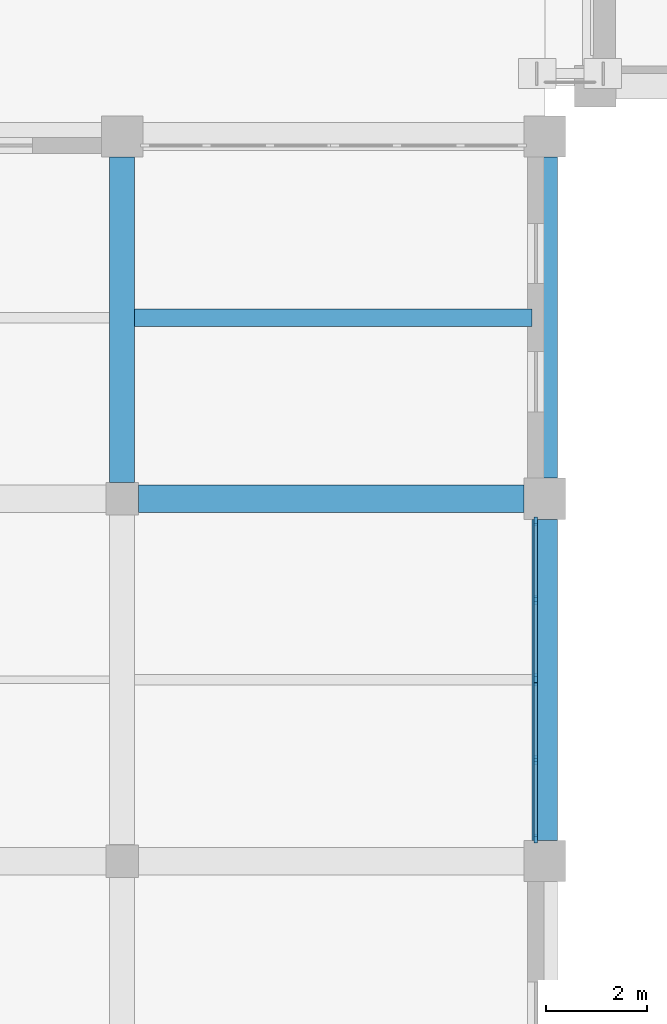
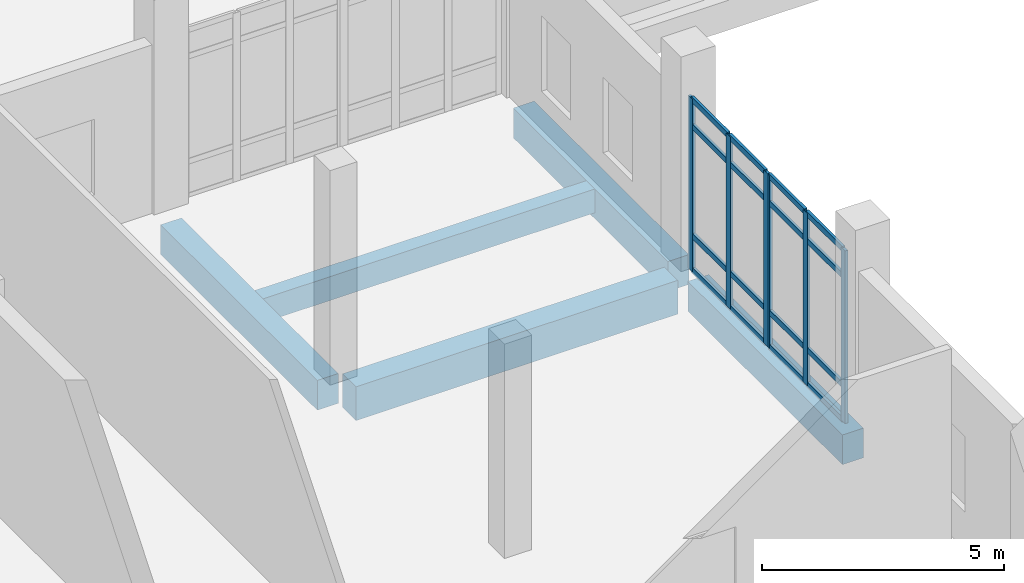
# One storey, part 6 of 79: 22 members, 5 beams, 2 elements without a shape of their own.
"""IFC4 building model written with IfcOpenShell, lengths in metres."""

from ifc_helpers import new_model, si_unit, direction, frame, origin, origin_2d, place, context, subcontext, project, spatial, rectangle, extrude, material, layer, layer_set, material_profile, profile_set, type_object, element, aggregate, save


model = new_model("IFC4")

# Units and contexts
model_context = context("Model", 3, precision=1e-05, world=origin(), true_north=direction((0.0, 1.0)))
body_context = subcontext(model_context, "Body", "Model", "MODEL_VIEW")
ifc_project = project(units=[si_unit("LENGTHUNIT", "METRE"), si_unit("AREAUNIT", "SQUARE_METRE"), si_unit("VOLUMEUNIT", "CUBIC_METRE"), si_unit("PLANEANGLEUNIT", "RADIAN"), si_unit("MASSUNIT", "GRAM", prefix="KILO")], contexts=[model_context])

# Site, building, storey
site_placement = place(None, origin())
site = spatial("IfcSite", under=ifc_project, at=site_placement, CompositionType="ELEMENT")
building_placement = place(site_placement, origin())
building = spatial("IfcBuilding", under=site, at=building_placement, Name="Kelarvand Opera House", CompositionType="ELEMENT")
storey_placement = place(building_placement, origin())
storey = spatial("IfcBuildingStorey", under=building, at=storey_placement, Name="L00", CompositionType="ELEMENT", Elevation=0.0)

# Curtain wall, members
ifc_material_1 = material(Name="Thermally broken aluminium and low-E glazing", Category="aluminium")
ifc_layer = layer(ifc_material_1, 0.179931640625, Name="Thermally broken aluminium and low-E glazing", Category="aluminium")
ifc_layer_set = layer_set([ifc_layer], Name="Thermally broken aluminium and low-E glazing")
curtain_wall_type = type_object("IfcCurtainWallType", Name="Unitised Low-E Curtain Wall 3176x4350 Mod 1350 CWF-09", PredefinedType="USERDEFINED", material=ifc_layer_set)
curtain_wall_1_placement = place(storey_placement, origin())
curtain_wall_1 = element("IfcCurtainWall", 1, at=curtain_wall_1_placement, inside=storey, type_object=curtain_wall_type, Name="V4 L00 Curtain Wall CWF-09 (111)", ObjectType="UNITISED CURTAIN WALL", PredefinedType="USERDEFINED")
ifc_material_2 = material(Name="Thermally broken anodised aluminium", Category="aluminium")
ifc_material_profile_1 = material_profile(ifc_material_2, rectangle(XDim=0.06494140625, YDim=0.179931640625, at=origin_2d()), Name="ALU MULLION 65x180", Category="aluminium")
ifc_profile_set_1 = profile_set([ifc_material_profile_1], Name="Thermally broken anodised aluminium")
member_type_1 = type_object("IfcMemberType", Name="Curtain Wall Mullion 65x180 Aluminium", PredefinedType="MULLION", material=ifc_profile_set_1)
member_1_placement = place(storey_placement, frame((50.820068359375, 30.1474609375, 0.0), z_axis=(0.0, 0.0, 1.0), x_axis=(1.0, 0.0, 0.0)))
member_1 = element("IfcMember", 2, at=member_1_placement, type_object=member_type_1, Name="CWF-09 mullion 1", PredefinedType="MULLION", context=body_context, shape_type="SweptSolid", body=[
    extrude(rectangle(XDim=0.06494140625, YDim=0.179931640625, at=origin_2d()), origin(), (0.0, 0.0, 1.0), 4.35009765625),
])
member_2_placement = place(storey_placement, frame((50.820068359375, 28.592041015625, 0.0), z_axis=(0.0, 0.0, 1.0), x_axis=(1.0, 0.0, 0.0)))
member_2 = element("IfcMember", 3, at=member_2_placement, type_object=member_type_1, Name="CWF-09 mullion 2", PredefinedType="MULLION", context=body_context, shape_type="SweptSolid", body=[
    extrude(rectangle(XDim=0.06494140625, YDim=0.179931640625, at=origin_2d()), origin(), (0.0, 0.0, 1.0), 4.35009765625),
])
member_3_placement = place(storey_placement, frame((50.820068359375, 27.03662109375, 0.0), z_axis=(0.0, 0.0, 1.0), x_axis=(1.0, 0.0, 0.0)))
member_3 = element("IfcMember", 4, at=member_3_placement, type_object=member_type_1, Name="CWF-09 mullion 3", PredefinedType="MULLION", context=body_context, shape_type="SweptSolid", body=[
    extrude(rectangle(XDim=0.06494140625, YDim=0.179931640625, at=origin_2d()), origin(), (0.0, 0.0, 1.0), 4.35009765625),
])

curtain_wall_2_placement = place(storey_placement, origin())
curtain_wall_2 = element("IfcCurtainWall", 5, at=curtain_wall_2_placement, inside=storey, type_object=curtain_wall_type, Name="V4 L00 Curtain Wall CWF-09 (112)", ObjectType="UNITISED CURTAIN WALL", PredefinedType="USERDEFINED")
member_4_placement = place(storey_placement, frame((50.820068359375, 26.967529296875, 0.0), z_axis=(0.0, 0.0, 1.0), x_axis=(1.0, 0.0, 0.0)))
member_4 = element("IfcMember", 6, at=member_4_placement, type_object=member_type_1, Name="CWF-09 mullion 1", PredefinedType="MULLION", context=body_context, shape_type="SweptSolid", body=[
    extrude(rectangle(XDim=0.06494140625, YDim=0.179931640625, at=origin_2d()), origin(), (0.0, 0.0, 1.0), 4.35009765625),
])
member_5_placement = place(storey_placement, frame((50.820068359375, 25.409912109375, 0.0), z_axis=(0.0, 0.0, 1.0), x_axis=(1.0, 0.0, 0.0)))
member_5 = element("IfcMember", 7, at=member_5_placement, type_object=member_type_1, Name="CWF-09 mullion 2", PredefinedType="MULLION", context=body_context, shape_type="SweptSolid", body=[
    extrude(rectangle(XDim=0.06494140625, YDim=0.179931640625, at=origin_2d()), origin(), (0.0, 0.0, 1.0), 4.35009765625),
])
member_6_placement = place(storey_placement, frame((50.820068359375, 23.8525390625, 0.0), z_axis=(0.0, 0.0, 1.0), x_axis=(1.0, 0.0, 0.0)))
member_6 = element("IfcMember", 8, at=member_6_placement, type_object=member_type_1, Name="CWF-09 mullion 3", PredefinedType="MULLION", context=body_context, shape_type="SweptSolid", body=[
    extrude(rectangle(XDim=0.06494140625, YDim=0.179931640625, at=origin_2d()), origin(), (0.0, 0.0, 1.0), 4.35009765625),
])

# Member
ifc_material_profile_2 = material_profile(ifc_material_2, rectangle(XDim=0.06494140625, YDim=0.139892578125, at=origin_2d()), Name="ALU TRANSOM 65x140", Category="aluminium")
ifc_profile_set_2 = profile_set([ifc_material_profile_2], Name="Thermally broken anodised aluminium")
member_type_2 = type_object("IfcMemberType", Name="Curtain Wall Transom 65x140 Aluminium", PredefinedType="USERDEFINED", material=ifc_profile_set_2)
member_7_placement = place(storey_placement, frame((50.820068359375, 30.114990234375, 0.032470703125), z_axis=(0.0, -1.0, 0.0), x_axis=(1.0, 0.0, 0.0)))
member_7 = element("IfcMember", 9, at=member_7_placement, type_object=member_type_2, Name="CWF-09 transom 1.1", ObjectType="TRANSOM", PredefinedType="USERDEFINED", context=body_context, shape_type="SweptSolid", body=[
    extrude(rectangle(XDim=0.06494140625, YDim=0.139892578125, at=origin_2d()), origin(), (0.0, 0.0, 1.0), 1.490478515625),
])

member_8_placement = place(storey_placement, frame((50.820068359375, 30.114990234375, 0.89990234375), z_axis=(0.0, -1.0, 0.0), x_axis=(1.0, 0.0, 0.0)))
member_8 = element("IfcMember", 10, at=member_8_placement, type_object=member_type_2, Name="CWF-09 transom 1.2", ObjectType="TRANSOM", PredefinedType="USERDEFINED", context=body_context, shape_type="SweptSolid", body=[
    extrude(rectangle(XDim=0.06494140625, YDim=0.139892578125, at=origin_2d()), origin(), (0.0, 0.0, 1.0), 1.490478515625),
])

member_9_placement = place(storey_placement, frame((50.820068359375, 30.114990234375, 3.64990234375), z_axis=(0.0, -1.0, 0.0), x_axis=(1.0, 0.0, 0.0)))
member_9 = element("IfcMember", 11, at=member_9_placement, type_object=member_type_2, Name="CWF-09 transom 1.3", ObjectType="TRANSOM", PredefinedType="USERDEFINED", context=body_context, shape_type="SweptSolid", body=[
    extrude(rectangle(XDim=0.06494140625, YDim=0.139892578125, at=origin_2d()), origin(), (0.0, 0.0, 1.0), 1.490478515625),
])

member_10_placement = place(storey_placement, frame((50.820068359375, 30.114990234375, 4.3173828125), z_axis=(0.0, -1.0, 0.0), x_axis=(1.0, 0.0, 0.0)))
member_10 = element("IfcMember", 12, at=member_10_placement, type_object=member_type_2, Name="CWF-09 transom 1.4", ObjectType="TRANSOM", PredefinedType="USERDEFINED", context=body_context, shape_type="SweptSolid", body=[
    extrude(rectangle(XDim=0.06494140625, YDim=0.139892578125, at=origin_2d()), origin(), (0.0, 0.0, 1.0), 1.490478515625),
])

member_11_placement = place(storey_placement, frame((50.820068359375, 28.5595703125, 0.032470703125), z_axis=(0.0, -1.0, 0.0), x_axis=(1.0, 0.0, 0.0)))
member_11 = element("IfcMember", 13, at=member_11_placement, type_object=member_type_2, Name="CWF-09 transom 2.1", ObjectType="TRANSOM", PredefinedType="USERDEFINED", context=body_context, shape_type="SweptSolid", body=[
    extrude(rectangle(XDim=0.06494140625, YDim=0.139892578125, at=origin_2d()), origin(), (0.0, 0.0, 1.0), 1.490478515625),
])

member_12_placement = place(storey_placement, frame((50.820068359375, 28.5595703125, 0.89990234375), z_axis=(0.0, -1.0, 0.0), x_axis=(1.0, 0.0, 0.0)))
member_12 = element("IfcMember", 14, at=member_12_placement, type_object=member_type_2, Name="CWF-09 transom 2.2", ObjectType="TRANSOM", PredefinedType="USERDEFINED", context=body_context, shape_type="SweptSolid", body=[
    extrude(rectangle(XDim=0.06494140625, YDim=0.139892578125, at=origin_2d()), origin(), (0.0, 0.0, 1.0), 1.490478515625),
])

member_13_placement = place(storey_placement, frame((50.820068359375, 28.5595703125, 3.64990234375), z_axis=(0.0, -1.0, 0.0), x_axis=(1.0, 0.0, 0.0)))
member_13 = element("IfcMember", 15, at=member_13_placement, type_object=member_type_2, Name="CWF-09 transom 2.3", ObjectType="TRANSOM", PredefinedType="USERDEFINED", context=body_context, shape_type="SweptSolid", body=[
    extrude(rectangle(XDim=0.06494140625, YDim=0.139892578125, at=origin_2d()), origin(), (0.0, 0.0, 1.0), 1.490478515625),
])

member_14_placement = place(storey_placement, frame((50.820068359375, 28.5595703125, 4.3173828125), z_axis=(0.0, -1.0, 0.0), x_axis=(1.0, 0.0, 0.0)))
member_14 = element("IfcMember", 16, at=member_14_placement, type_object=member_type_2, Name="CWF-09 transom 2.4", ObjectType="TRANSOM", PredefinedType="USERDEFINED", context=body_context, shape_type="SweptSolid", body=[
    extrude(rectangle(XDim=0.06494140625, YDim=0.139892578125, at=origin_2d()), origin(), (0.0, 0.0, 1.0), 1.490478515625),
])

aggregate(curtain_wall_1, [member_1, member_2, member_3, member_7, member_8, member_9, member_10, member_11, member_12, member_13, member_14])

member_15_placement = place(storey_placement, frame((50.820068359375, 26.93505859375, 0.032470703125), z_axis=(0.0, -1.0, 0.0), x_axis=(1.0, 0.0, 0.0)))
member_15 = element("IfcMember", 17, at=member_15_placement, type_object=member_type_2, Name="CWF-09 transom 1.1", ObjectType="TRANSOM", PredefinedType="USERDEFINED", context=body_context, shape_type="SweptSolid", body=[
    extrude(rectangle(XDim=0.06494140625, YDim=0.139892578125, at=origin_2d()), origin(), (0.0, 0.0, 1.0), 1.49267578125),
])

member_16_placement = place(storey_placement, frame((50.820068359375, 26.93505859375, 0.89990234375), z_axis=(0.0, -1.0, 0.0), x_axis=(1.0, 0.0, 0.0)))
member_16 = element("IfcMember", 18, at=member_16_placement, type_object=member_type_2, Name="CWF-09 transom 1.2", ObjectType="TRANSOM", PredefinedType="USERDEFINED", context=body_context, shape_type="SweptSolid", body=[
    extrude(rectangle(XDim=0.06494140625, YDim=0.139892578125, at=origin_2d()), origin(), (0.0, 0.0, 1.0), 1.49267578125),
])

member_17_placement = place(storey_placement, frame((50.820068359375, 26.93505859375, 3.64990234375), z_axis=(0.0, -1.0, 0.0), x_axis=(1.0, 0.0, 0.0)))
member_17 = element("IfcMember", 19, at=member_17_placement, type_object=member_type_2, Name="CWF-09 transom 1.3", ObjectType="TRANSOM", PredefinedType="USERDEFINED", context=body_context, shape_type="SweptSolid", body=[
    extrude(rectangle(XDim=0.06494140625, YDim=0.139892578125, at=origin_2d()), origin(), (0.0, 0.0, 1.0), 1.49267578125),
])

member_18_placement = place(storey_placement, frame((50.820068359375, 26.93505859375, 4.3173828125), z_axis=(0.0, -1.0, 0.0), x_axis=(1.0, 0.0, 0.0)))
member_18 = element("IfcMember", 20, at=member_18_placement, type_object=member_type_2, Name="CWF-09 transom 1.4", ObjectType="TRANSOM", PredefinedType="USERDEFINED", context=body_context, shape_type="SweptSolid", body=[
    extrude(rectangle(XDim=0.06494140625, YDim=0.139892578125, at=origin_2d()), origin(), (0.0, 0.0, 1.0), 1.49267578125),
])

member_19_placement = place(storey_placement, frame((50.820068359375, 25.37744140625, 0.032470703125), z_axis=(0.0, -1.0, 0.0), x_axis=(1.0, 0.0, 0.0)))
member_19 = element("IfcMember", 21, at=member_19_placement, type_object=member_type_2, Name="CWF-09 transom 2.1", ObjectType="TRANSOM", PredefinedType="USERDEFINED", context=body_context, shape_type="SweptSolid", body=[
    extrude(rectangle(XDim=0.06494140625, YDim=0.139892578125, at=origin_2d()), origin(), (0.0, 0.0, 1.0), 1.492431640625),
])

member_20_placement = place(storey_placement, frame((50.820068359375, 25.37744140625, 0.89990234375), z_axis=(0.0, -1.0, 0.0), x_axis=(1.0, 0.0, 0.0)))
member_20 = element("IfcMember", 22, at=member_20_placement, type_object=member_type_2, Name="CWF-09 transom 2.2", ObjectType="TRANSOM", PredefinedType="USERDEFINED", context=body_context, shape_type="SweptSolid", body=[
    extrude(rectangle(XDim=0.06494140625, YDim=0.139892578125, at=origin_2d()), origin(), (0.0, 0.0, 1.0), 1.492431640625),
])

member_21_placement = place(storey_placement, frame((50.820068359375, 25.37744140625, 3.64990234375), z_axis=(0.0, -1.0, 0.0), x_axis=(1.0, 0.0, 0.0)))
member_21 = element("IfcMember", 23, at=member_21_placement, type_object=member_type_2, Name="CWF-09 transom 2.3", ObjectType="TRANSOM", PredefinedType="USERDEFINED", context=body_context, shape_type="SweptSolid", body=[
    extrude(rectangle(XDim=0.06494140625, YDim=0.139892578125, at=origin_2d()), origin(), (0.0, 0.0, 1.0), 1.492431640625),
])

member_22_placement = place(storey_placement, frame((50.820068359375, 25.37744140625, 4.3173828125), z_axis=(0.0, -1.0, 0.0), x_axis=(1.0, 0.0, 0.0)))
member_22 = element("IfcMember", 24, at=member_22_placement, type_object=member_type_2, Name="CWF-09 transom 2.4", ObjectType="TRANSOM", PredefinedType="USERDEFINED", context=body_context, shape_type="SweptSolid", body=[
    extrude(rectangle(XDim=0.06494140625, YDim=0.139892578125, at=origin_2d()), origin(), (0.0, 0.0, 1.0), 1.492431640625),
])

aggregate(curtain_wall_2, [member_4, member_5, member_6, member_15, member_16, member_17, member_18, member_19, member_20, member_21, member_22])

# Beams
ifc_material_3 = material(Name="Concrete C35/45", Category="concrete")
ifc_material_profile_3 = material_profile(ifc_material_3, rectangle(XDim=0.35009765625, YDim=0.60009765625, at=origin_2d()), Name="RC 350x600", Category="concrete")
ifc_profile_set_3 = profile_set([ifc_material_profile_3], Name="Concrete C35/45")
beam_type_1 = type_object("IfcBeamType", Name="Structural Beam RC 350x600 BM-RC350x600", PredefinedType="BEAM", material=ifc_profile_set_3)
beam_1_placement = place(storey_placement, frame((42.85009765625, 34.199951171875, -0.60009765625), z_axis=(1.0, 0.0, 0.0), x_axis=(0.0, 1.0, 0.0)))
element("IfcBeam", 25, at=beam_1_placement, inside=storey, type_object=beam_type_1, Name="V4 L00 Beam BM-RC350x600", PredefinedType="BEAM", context=body_context, shape_type="SweptSolid", body=[
    extrude(rectangle(XDim=0.35009765625, YDim=0.60009765625, at=origin_2d()), origin(), (0.0, 0.0, 1.0), 7.89990234375),
])
ifc_material_4 = material(Name="Concrete C40/50", Category="concrete")
ifc_material_profile_4 = material_profile(ifc_material_4, rectangle(XDim=0.5, YDim=0.75, at=origin_2d()), Name="RC 500x750", Category="concrete")
ifc_profile_set_4 = profile_set([ifc_material_profile_4], Name="Concrete C40/50")
beam_type_2 = type_object("IfcBeamType", Name="Structural Beam RC 500x750 BM-RC500x750", PredefinedType="BEAM", material=ifc_profile_set_4)
beam_2_placement = place(storey_placement, frame((42.60009765625, 30.925048828125, -0.675048828125), z_axis=(0.0, 1.0, 0.0), x_axis=(-1.0, 0.0, 0.0)))
element("IfcBeam", 26, at=beam_2_placement, inside=storey, type_object=beam_type_2, Name="V4 L00 Beam BM-RC500x750", PredefinedType="BEAM", context=body_context, shape_type="SweptSolid", body=[
    extrude(rectangle(XDim=0.5, YDim=0.75, at=origin_2d()), origin(), (0.0, 0.0, 1.0), 6.46484375),
])
ifc_material_profile_5 = material_profile(ifc_material_4, rectangle(XDim=0.550048828125, YDim=0.85009765625, at=origin_2d()), Name="RC 550x850", Category="concrete")
ifc_profile_set_5 = profile_set([ifc_material_profile_5], Name="Concrete C40/50")
beam_type_3 = type_object("IfcBeamType", Name="Structural Beam RC 550x850 BM-RC550x850", PredefinedType="BEAM", material=ifc_profile_set_5)
beam_3_placement = place(storey_placement, frame((42.925048828125, 30.60009765625, -0.72509765625), z_axis=(1.0, 0.0, 0.0), x_axis=(0.0, 1.0, 0.0)))
element("IfcBeam", 27, at=beam_3_placement, inside=storey, type_object=beam_type_3, Name="V4 L00 Beam BM-RC550x850", PredefinedType="BEAM", context=body_context, shape_type="SweptSolid", body=[
    extrude(rectangle(XDim=0.550048828125, YDim=0.85009765625, at=origin_2d()), origin(), (0.0, 0.0, 1.0), 7.6650390625),
])
ifc_material_profile_6 = material_profile(ifc_material_4, rectangle(XDim=0.5, YDim=0.75, at=origin_2d()), Name="RC 500x750", Category="concrete")
ifc_profile_set_6 = profile_set([ifc_material_profile_6], Name="Concrete C40/50")
beam_type_4 = type_object("IfcBeamType", Name="Structural Spandrel RC 500x750 SP-RC500x750E", PredefinedType="SPANDREL", material=ifc_profile_set_6)
for number, where, z_axis, x_axis, name in (
    (28, (51.0, 23.81005859375, -0.675048828125), (0.0, 1.0, 0.0), (-1.0, 0.0, 0.0), "V4 L00 Beam SP-RC500x750E"),
    (29, (51.0, 31.010009765625, -0.675048828125), (0.0, 1.0, 0.0), (-1.0, 0.0, 0.0), "V4 L00 Beam SP-RC500x750E"),
):
    element("IfcBeam", number, at=place(storey_placement, frame(where, z_axis=z_axis, x_axis=x_axis)), inside=storey, type_object=beam_type_4, Name=name, PredefinedType="SPANDREL", context=body_context, shape_type="SweptSolid", body=[
        extrude(rectangle(XDim=0.5, YDim=0.75, at=origin_2d()), origin(), (0.0, 0.0, 1.0), 6.3798828125),
    ])

save(model, "model.ifc")
